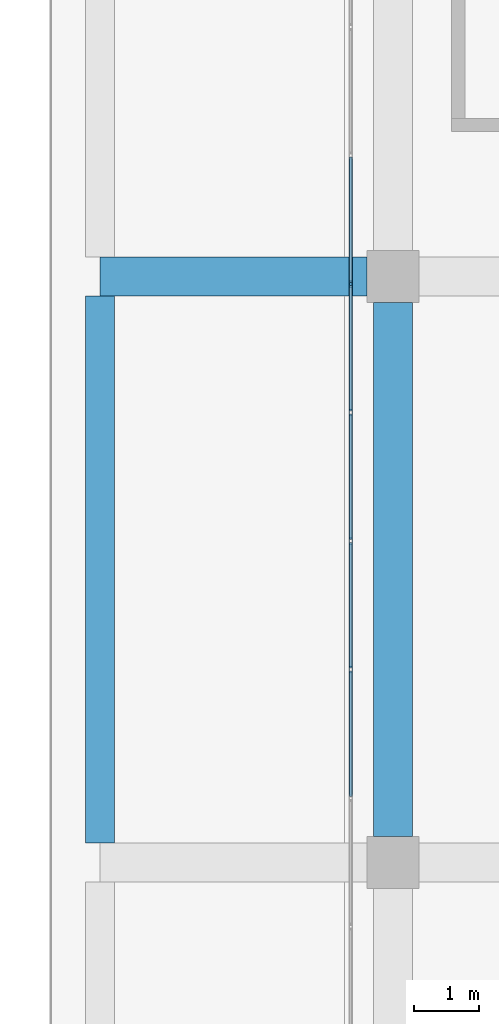
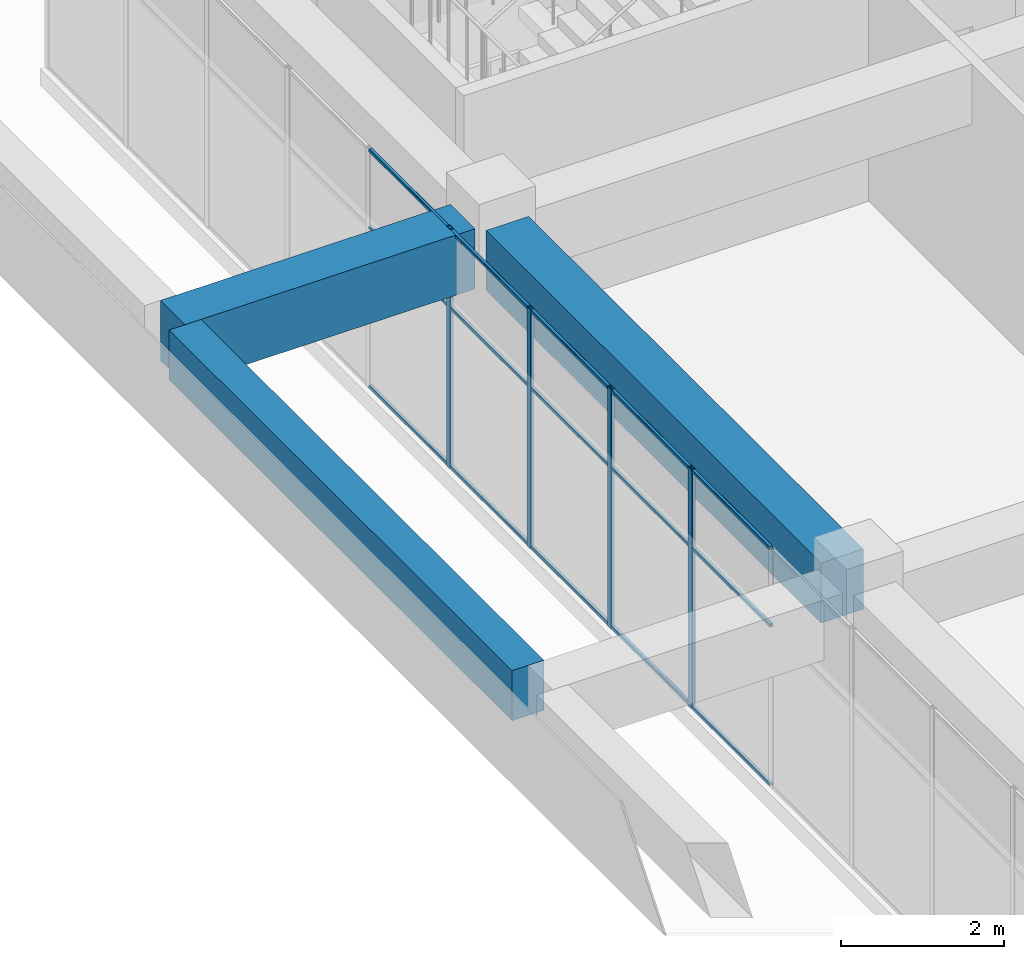
# One storey, part 19 of 52: 19 members, 3 beams, 1 element without a shape of its own.
"""IFC4 building model written with IfcOpenShell, lengths in metres."""

from ifc_helpers import new_model, si_unit, direction, frame, origin, origin_2d, place, context, subcontext, project, spatial, rectangle, hollow_rectangle, extrude, material, layer, layer_set, material_profile, profile_set, type_object, element, aggregate, save


model = new_model("IFC4")

# Units and contexts
model_context = context("Model", 3, precision=1e-05, world=origin(), true_north=direction((0.0, 1.0)))
body_context = subcontext(model_context, "Body", "Model", "MODEL_VIEW")
ifc_project = project(units=[si_unit("LENGTHUNIT", "METRE"), si_unit("AREAUNIT", "SQUARE_METRE"), si_unit("VOLUMEUNIT", "CUBIC_METRE"), si_unit("PLANEANGLEUNIT", "RADIAN"), si_unit("MASSUNIT", "GRAM", prefix="KILO")], contexts=[model_context])

# Site, building, storey
site_placement = place(None, origin())
site = spatial("IfcSite", under=ifc_project, at=site_placement, CompositionType="ELEMENT")
building_placement = place(site_placement, origin())
building = spatial("IfcBuilding", under=site, at=building_placement, Name="Tuart Plaza Theatre", CompositionType="ELEMENT")
storey_placement = place(building_placement, frame((0.0, 0.0, 25.5)))
storey = spatial("IfcBuildingStorey", under=building, at=storey_placement, Name="L06", CompositionType="ELEMENT", Elevation=25.5)

# Beams
ifc_material_1 = material(Name="Concrete N40 (40 MPa)", Category="concrete")
ifc_material_profile_1 = material_profile(ifc_material_1, rectangle(XDim=0.449951171875, YDim=0.75, at=origin_2d()), Name="BEAM 450x750 Concrete N40 (40 MPa)")
ifc_profile_set_1 = profile_set([ifc_material_profile_1], Name="Concrete N40 (40 MPa)")
beam_type_1 = type_object("IfcBeamType", Name="BEAM 450x750 Concrete N40 (40 MPa)", PredefinedType="BEAM", material=ifc_profile_set_1)
beam_1_placement = place(storey_placement, frame((109.5, 74.300048828125, 3.205078125), z_axis=(0.0, 1.0, 0.0), x_axis=(-1.0, 0.0, 0.0)))
element("IfcBeam", 1, at=beam_1_placement, inside=storey, type_object=beam_type_1, Name="RB243", PredefinedType="BEAM", context=body_context, shape_type="SweptSolid", body=[
    extrude(rectangle(XDim=0.449951171875, YDim=0.75, at=origin_2d()), origin(), (0.0, 0.0, 1.0), 8.39990234375),
])
ifc_material_2 = material(Name="Concrete N40 (40 MPa)", Category="concrete")
ifc_material_profile_2 = material_profile(ifc_material_2, rectangle(XDim=0.60009765625, YDim=0.89990234375, at=origin_2d()), Name="BEAM 600x900 Concrete N40 (40 MPa)")
ifc_profile_set_2 = profile_set([ifc_material_profile_2], Name="Concrete N40 (40 MPa)")
beam_type_2 = type_object("IfcBeamType", Name="BEAM 600x900 Concrete N40 (40 MPa)", PredefinedType="BEAM", material=ifc_profile_set_2)
beam_2_placement = place(storey_placement, frame((109.5, 83.0, 3.1298828125), z_axis=(1.0, 0.0, 0.0), x_axis=(0.0, 1.0, 0.0)))
element("IfcBeam", 2, at=beam_2_placement, inside=storey, type_object=beam_type_2, Name="RB246", PredefinedType="BEAM", context=body_context, shape_type="SweptSolid", body=[
    extrude(rectangle(XDim=0.60009765625, YDim=0.89990234375, at=origin_2d()), origin(), (0.0, 0.0, 1.0), 4.10009765625),
])
beam_3_placement = place(storey_placement, frame((114.0, 74.39990234375, 3.1298828125), z_axis=(0.0, 1.0, 0.0), x_axis=(-1.0, 0.0, 0.0)))
element("IfcBeam", 3, at=beam_3_placement, inside=storey, type_object=beam_type_2, Name="RB211", PredefinedType="BEAM", context=body_context, shape_type="SweptSolid", body=[
    extrude(rectangle(XDim=0.60009765625, YDim=0.89990234375, at=origin_2d()), origin(), (0.0, 0.0, 1.0), 8.2001953125),
])

# Curtain wall, members
ifc_material_3 = material(Name="Aluminium and glass", Category="aluminium")
ifc_layer = layer(ifc_material_3, 0.10009765625)
ifc_layer_set = layer_set([ifc_layer], Name="CURTAIN WALL 2000 module")
curtain_wall_type = type_object("IfcCurtainWallType", Name="CURTAIN WALL 2000 module", PredefinedType="NOTDEFINED", material=ifc_layer_set)
curtain_wall_placement = place(storey_placement, origin())
curtain_wall = element("IfcCurtainWall", 4, at=curtain_wall_placement, inside=storey, type_object=curtain_wall_type, Name="CW86", PredefinedType="NOTDEFINED")
ifc_material_4 = material(Name="Aluminium 6063-T5", Category="aluminium")
ifc_material_profile_3 = material_profile(ifc_material_4, hollow_rectangle(XDim=0.050048828125, YDim=0.10009765625, WallThickness=0.00390625, InnerFilletRadius=0.00390625, OuterFilletRadius=0.008056640625, at=origin_2d()), Name="RHS 100x50x4")
ifc_profile_set_3 = profile_set([ifc_material_profile_3], Name="Aluminium 6063-T5")
member_type_1 = type_object("IfcMemberType", Name="MULLION RHS 100x50x4", PredefinedType="MULLION", material=ifc_profile_set_3)
member_1_placement = place(storey_placement, frame((113.35009765625, 82.881591796875, 0.0), z_axis=(0.0, 0.0, 1.0), x_axis=(1.0, 0.0, 0.0)))
member_1 = element("IfcMember", 5, at=member_1_placement, type_object=member_type_1, Name="CW86 mullion 6", PredefinedType="MULLION", context=body_context, shape_type="SweptSolid", body=[
    extrude(hollow_rectangle(XDim=0.050048828125, YDim=0.10009765625, WallThickness=0.00390625, InnerFilletRadius=0.00390625, OuterFilletRadius=0.008056640625, at=origin_2d()), origin(), (0.0, 0.0, 1.0), 3.580078125),
])
member_2_placement = place(storey_placement, frame((113.35009765625, 80.907958984375, 0.0), z_axis=(0.0, 0.0, 1.0), x_axis=(1.0, 0.0, 0.0)))
member_2 = element("IfcMember", 6, at=member_2_placement, type_object=member_type_1, Name="CW86 mullion 7", PredefinedType="MULLION", context=body_context, shape_type="SweptSolid", body=[
    extrude(hollow_rectangle(XDim=0.050048828125, YDim=0.10009765625, WallThickness=0.00390625, InnerFilletRadius=0.00390625, OuterFilletRadius=0.008056640625, at=origin_2d()), origin(), (0.0, 0.0, 1.0), 3.580078125),
])
member_3_placement = place(storey_placement, frame((113.35009765625, 78.934326171875, 0.0), z_axis=(0.0, 0.0, 1.0), x_axis=(1.0, 0.0, 0.0)))
member_3 = element("IfcMember", 7, at=member_3_placement, type_object=member_type_1, Name="CW86 mullion 8", PredefinedType="MULLION", context=body_context, shape_type="SweptSolid", body=[
    extrude(hollow_rectangle(XDim=0.050048828125, YDim=0.10009765625, WallThickness=0.00390625, InnerFilletRadius=0.00390625, OuterFilletRadius=0.008056640625, at=origin_2d()), origin(), (0.0, 0.0, 1.0), 3.580078125),
])
member_4_placement = place(storey_placement, frame((113.35009765625, 76.96044921875, 0.0), z_axis=(0.0, 0.0, 1.0), x_axis=(1.0, 0.0, 0.0)))
member_4 = element("IfcMember", 8, at=member_4_placement, type_object=member_type_1, Name="CW86 mullion 9", PredefinedType="MULLION", context=body_context, shape_type="SweptSolid", body=[
    extrude(hollow_rectangle(XDim=0.050048828125, YDim=0.10009765625, WallThickness=0.00390625, InnerFilletRadius=0.00390625, OuterFilletRadius=0.008056640625, at=origin_2d()), origin(), (0.0, 0.0, 1.0), 3.580078125),
])
ifc_material_5 = material(Name="Aluminium 6063-T5", Category="aluminium")
ifc_material_profile_4 = material_profile(ifc_material_5, hollow_rectangle(XDim=0.050048828125, YDim=0.050048828125, WallThickness=0.00390625, InnerFilletRadius=0.00390625, OuterFilletRadius=0.008056640625, at=origin_2d()), Name="RHS 50x50x4")
ifc_profile_set_4 = profile_set([ifc_material_profile_4], Name="Aluminium 6063-T5")
member_type_2 = type_object("IfcMemberType", Name="TRANSOM RHS 50x50x4", PredefinedType="USERDEFINED", material=ifc_profile_set_4)
member_5_placement = place(storey_placement, frame((113.35009765625, 84.830322265625, 0.02490234375), z_axis=(0.0, -1.0, 0.0), x_axis=(1.0, 0.0, 0.0)))
member_5 = element("IfcMember", 9, at=member_5_placement, type_object=member_type_2, Name="CW86 transom 5.1", ObjectType="TRANSOM", PredefinedType="USERDEFINED", context=body_context, shape_type="SweptSolid", body=[
    extrude(hollow_rectangle(XDim=0.050048828125, YDim=0.050048828125, WallThickness=0.00390625, InnerFilletRadius=0.00390625, OuterFilletRadius=0.008056640625, at=origin_2d()), origin(), (0.0, 0.0, 1.0), 1.923828125),
])
member_6_placement = place(storey_placement, frame((113.35009765625, 84.830322265625, 2.39990234375), z_axis=(0.0, -1.0, 0.0), x_axis=(1.0, 0.0, 0.0)))
member_6 = element("IfcMember", 10, at=member_6_placement, type_object=member_type_2, Name="CW86 transom 5.2", ObjectType="TRANSOM", PredefinedType="USERDEFINED", context=body_context, shape_type="SweptSolid", body=[
    extrude(hollow_rectangle(XDim=0.050048828125, YDim=0.050048828125, WallThickness=0.00390625, InnerFilletRadius=0.00390625, OuterFilletRadius=0.008056640625, at=origin_2d()), origin(), (0.0, 0.0, 1.0), 1.923828125),
])
member_7_placement = place(storey_placement, frame((113.35009765625, 84.830322265625, 3.554931640625), z_axis=(0.0, -1.0, 0.0), x_axis=(1.0, 0.0, 0.0)))
member_7 = element("IfcMember", 11, at=member_7_placement, type_object=member_type_2, Name="CW86 transom 5.3", ObjectType="TRANSOM", PredefinedType="USERDEFINED", context=body_context, shape_type="SweptSolid", body=[
    extrude(hollow_rectangle(XDim=0.050048828125, YDim=0.050048828125, WallThickness=0.00390625, InnerFilletRadius=0.00390625, OuterFilletRadius=0.008056640625, at=origin_2d()), origin(), (0.0, 0.0, 1.0), 1.923828125),
])
member_8_placement = place(storey_placement, frame((113.35009765625, 82.856689453125, 0.02490234375), z_axis=(0.0, -1.0, 0.0), x_axis=(1.0, 0.0, 0.0)))
member_8 = element("IfcMember", 12, at=member_8_placement, type_object=member_type_2, Name="CW86 transom 6.1", ObjectType="TRANSOM", PredefinedType="USERDEFINED", context=body_context, shape_type="SweptSolid", body=[
    extrude(hollow_rectangle(XDim=0.050048828125, YDim=0.050048828125, WallThickness=0.00390625, InnerFilletRadius=0.00390625, OuterFilletRadius=0.008056640625, at=origin_2d()), origin(), (0.0, 0.0, 1.0), 1.923828125),
])
member_9_placement = place(storey_placement, frame((113.35009765625, 82.856689453125, 2.39990234375), z_axis=(0.0, -1.0, 0.0), x_axis=(1.0, 0.0, 0.0)))
member_9 = element("IfcMember", 13, at=member_9_placement, type_object=member_type_2, Name="CW86 transom 6.2", ObjectType="TRANSOM", PredefinedType="USERDEFINED", context=body_context, shape_type="SweptSolid", body=[
    extrude(hollow_rectangle(XDim=0.050048828125, YDim=0.050048828125, WallThickness=0.00390625, InnerFilletRadius=0.00390625, OuterFilletRadius=0.008056640625, at=origin_2d()), origin(), (0.0, 0.0, 1.0), 1.923828125),
])
member_10_placement = place(storey_placement, frame((113.35009765625, 82.856689453125, 3.554931640625), z_axis=(0.0, -1.0, 0.0), x_axis=(1.0, 0.0, 0.0)))
member_10 = element("IfcMember", 14, at=member_10_placement, type_object=member_type_2, Name="CW86 transom 6.3", ObjectType="TRANSOM", PredefinedType="USERDEFINED", context=body_context, shape_type="SweptSolid", body=[
    extrude(hollow_rectangle(XDim=0.050048828125, YDim=0.050048828125, WallThickness=0.00390625, InnerFilletRadius=0.00390625, OuterFilletRadius=0.008056640625, at=origin_2d()), origin(), (0.0, 0.0, 1.0), 1.923828125),
])
member_11_placement = place(storey_placement, frame((113.35009765625, 80.8828125, 0.02490234375), z_axis=(0.0, -1.0, 0.0), x_axis=(1.0, 0.0, 0.0)))
member_11 = element("IfcMember", 15, at=member_11_placement, type_object=member_type_2, Name="CW86 transom 7.1", ObjectType="TRANSOM", PredefinedType="USERDEFINED", context=body_context, shape_type="SweptSolid", body=[
    extrude(hollow_rectangle(XDim=0.050048828125, YDim=0.050048828125, WallThickness=0.00390625, InnerFilletRadius=0.00390625, OuterFilletRadius=0.008056640625, at=origin_2d()), origin(), (0.0, 0.0, 1.0), 1.923583984375),
])
member_12_placement = place(storey_placement, frame((113.35009765625, 80.8828125, 2.39990234375), z_axis=(0.0, -1.0, 0.0), x_axis=(1.0, 0.0, 0.0)))
member_12 = element("IfcMember", 16, at=member_12_placement, type_object=member_type_2, Name="CW86 transom 7.2", ObjectType="TRANSOM", PredefinedType="USERDEFINED", context=body_context, shape_type="SweptSolid", body=[
    extrude(hollow_rectangle(XDim=0.050048828125, YDim=0.050048828125, WallThickness=0.00390625, InnerFilletRadius=0.00390625, OuterFilletRadius=0.008056640625, at=origin_2d()), origin(), (0.0, 0.0, 1.0), 1.923583984375),
])
member_13_placement = place(storey_placement, frame((113.35009765625, 80.8828125, 3.554931640625), z_axis=(0.0, -1.0, 0.0), x_axis=(1.0, 0.0, 0.0)))
member_13 = element("IfcMember", 17, at=member_13_placement, type_object=member_type_2, Name="CW86 transom 7.3", ObjectType="TRANSOM", PredefinedType="USERDEFINED", context=body_context, shape_type="SweptSolid", body=[
    extrude(hollow_rectangle(XDim=0.050048828125, YDim=0.050048828125, WallThickness=0.00390625, InnerFilletRadius=0.00390625, OuterFilletRadius=0.008056640625, at=origin_2d()), origin(), (0.0, 0.0, 1.0), 1.923583984375),
])
member_14_placement = place(storey_placement, frame((113.35009765625, 78.9091796875, 0.02490234375), z_axis=(0.0, -1.0, 0.0), x_axis=(1.0, 0.0, 0.0)))
member_14 = element("IfcMember", 18, at=member_14_placement, type_object=member_type_2, Name="CW86 transom 8.1", ObjectType="TRANSOM", PredefinedType="USERDEFINED", context=body_context, shape_type="SweptSolid", body=[
    extrude(hollow_rectangle(XDim=0.050048828125, YDim=0.050048828125, WallThickness=0.00390625, InnerFilletRadius=0.00390625, OuterFilletRadius=0.008056640625, at=origin_2d()), origin(), (0.0, 0.0, 1.0), 1.923583984375),
])
member_15_placement = place(storey_placement, frame((113.35009765625, 78.9091796875, 2.39990234375), z_axis=(0.0, -1.0, 0.0), x_axis=(1.0, 0.0, 0.0)))
member_15 = element("IfcMember", 19, at=member_15_placement, type_object=member_type_2, Name="CW86 transom 8.2", ObjectType="TRANSOM", PredefinedType="USERDEFINED", context=body_context, shape_type="SweptSolid", body=[
    extrude(hollow_rectangle(XDim=0.050048828125, YDim=0.050048828125, WallThickness=0.00390625, InnerFilletRadius=0.00390625, OuterFilletRadius=0.008056640625, at=origin_2d()), origin(), (0.0, 0.0, 1.0), 1.923583984375),
])
member_16_placement = place(storey_placement, frame((113.35009765625, 78.9091796875, 3.554931640625), z_axis=(0.0, -1.0, 0.0), x_axis=(1.0, 0.0, 0.0)))
member_16 = element("IfcMember", 20, at=member_16_placement, type_object=member_type_2, Name="CW86 transom 8.3", ObjectType="TRANSOM", PredefinedType="USERDEFINED", context=body_context, shape_type="SweptSolid", body=[
    extrude(hollow_rectangle(XDim=0.050048828125, YDim=0.050048828125, WallThickness=0.00390625, InnerFilletRadius=0.00390625, OuterFilletRadius=0.008056640625, at=origin_2d()), origin(), (0.0, 0.0, 1.0), 1.923583984375),
])
member_17_placement = place(storey_placement, frame((113.35009765625, 76.935546875, 0.02490234375), z_axis=(0.0, -1.0, 0.0), x_axis=(1.0, 0.0, 0.0)))
member_17 = element("IfcMember", 21, at=member_17_placement, type_object=member_type_2, Name="CW86 transom 9.1", ObjectType="TRANSOM", PredefinedType="USERDEFINED", context=body_context, shape_type="SweptSolid", body=[
    extrude(hollow_rectangle(XDim=0.050048828125, YDim=0.050048828125, WallThickness=0.00390625, InnerFilletRadius=0.00390625, OuterFilletRadius=0.008056640625, at=origin_2d()), origin(), (0.0, 0.0, 1.0), 1.923583984375),
])
member_18_placement = place(storey_placement, frame((113.35009765625, 76.935546875, 2.39990234375), z_axis=(0.0, -1.0, 0.0), x_axis=(1.0, 0.0, 0.0)))
member_18 = element("IfcMember", 22, at=member_18_placement, type_object=member_type_2, Name="CW86 transom 9.2", ObjectType="TRANSOM", PredefinedType="USERDEFINED", context=body_context, shape_type="SweptSolid", body=[
    extrude(hollow_rectangle(XDim=0.050048828125, YDim=0.050048828125, WallThickness=0.00390625, InnerFilletRadius=0.00390625, OuterFilletRadius=0.008056640625, at=origin_2d()), origin(), (0.0, 0.0, 1.0), 1.923583984375),
])
member_19_placement = place(storey_placement, frame((113.35009765625, 76.935546875, 3.554931640625), z_axis=(0.0, -1.0, 0.0), x_axis=(1.0, 0.0, 0.0)))
member_19 = element("IfcMember", 23, at=member_19_placement, type_object=member_type_2, Name="CW86 transom 9.3", ObjectType="TRANSOM", PredefinedType="USERDEFINED", context=body_context, shape_type="SweptSolid", body=[
    extrude(hollow_rectangle(XDim=0.050048828125, YDim=0.050048828125, WallThickness=0.00390625, InnerFilletRadius=0.00390625, OuterFilletRadius=0.008056640625, at=origin_2d()), origin(), (0.0, 0.0, 1.0), 1.923583984375),
])
aggregate(curtain_wall, [member_1, member_2, member_3, member_4, member_5, member_6, member_7, member_8, member_9, member_10, member_11, member_12, member_13, member_14, member_15, member_16, member_17, member_18, member_19])

save(model, "model.ifc")
